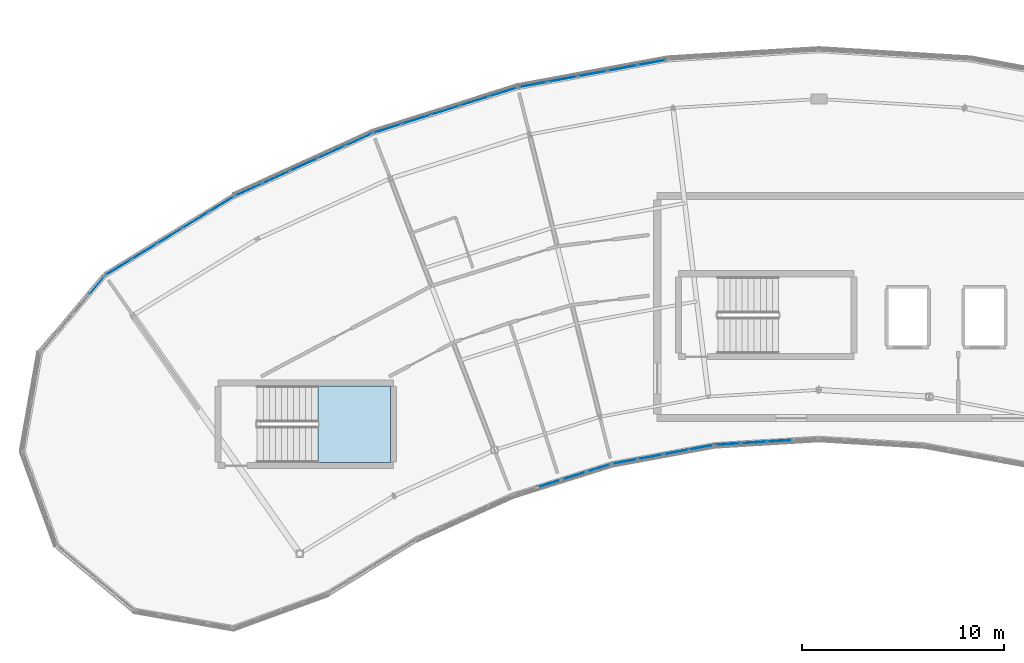
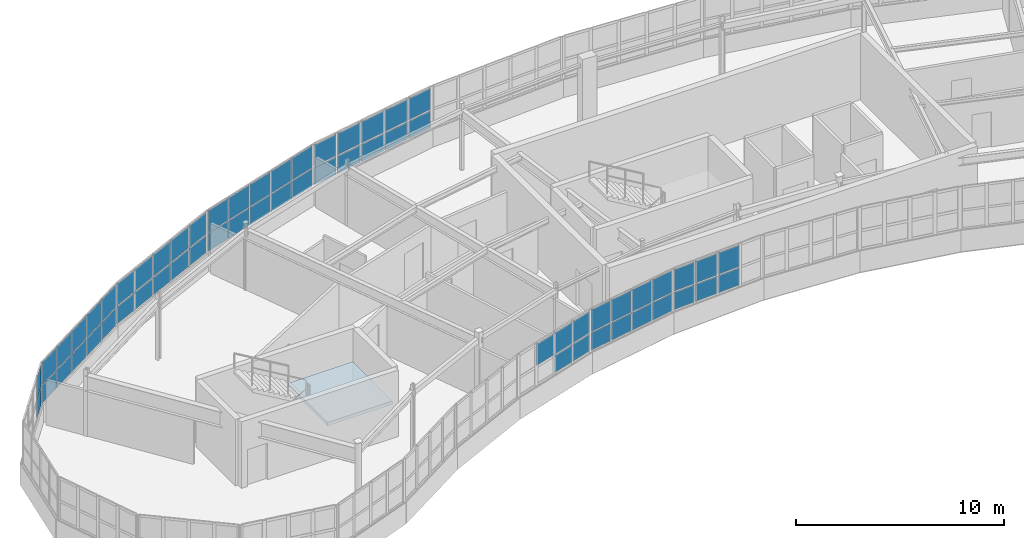
# One storey, part 52 of 79: 61 plates, 1 slab, 9 elements without a shape of their own.
"""IFC4 building model written with IfcOpenShell, lengths in metres."""

from ifc_helpers import new_model, si_unit, direction, frame, origin, origin_2d, place, context, subcontext, project, spatial, polyline, rectangle, outline, extrude, material, layer, layer_set, type_object, element, aggregate, save


model = new_model("IFC4")

# Units and contexts
model_context = context("Model", 3, precision=1e-05, world=origin(), true_north=direction((0.0, 1.0)))
body_context = subcontext(model_context, "Body", "Model", "MODEL_VIEW")
ifc_project = project(units=[si_unit("LENGTHUNIT", "METRE"), si_unit("AREAUNIT", "SQUARE_METRE"), si_unit("VOLUMEUNIT", "CUBIC_METRE"), si_unit("PLANEANGLEUNIT", "RADIAN"), si_unit("MASSUNIT", "GRAM", prefix="KILO")], contexts=[model_context])

# Site, building, storey
site_placement = place(None, origin())
site = spatial("IfcSite", under=ifc_project, at=site_placement, CompositionType="ELEMENT")
building_placement = place(site_placement, origin())
building = spatial("IfcBuilding", under=site, at=building_placement, Name="Tarnwether General Hospital", CompositionType="ELEMENT")
storey_placement = place(building_placement, frame((0.0, 0.0, 18.300048828125)))
storey = spatial("IfcBuildingStorey", under=building, at=storey_placement, Name="L04", CompositionType="ELEMENT", Elevation=18.300048828125)

# Curtain wall, plates
ifc_material_1 = material(Name="Anodised aluminium", Category="aluminium")
ifc_layer_1 = layer(ifc_material_1, 0.159912109375)
ifc_layer_set_1 = layer_set([ifc_layer_1], Name="Anodised aluminium")
curtain_wall_type_1 = type_object("IfcCurtainWallType", Name="CW-04", PredefinedType="NOTDEFINED", material=ifc_layer_set_1)
curtain_wall_1_placement = place(storey_placement, origin())
curtain_wall_1 = element("IfcCurtainWall", 1, at=curtain_wall_1_placement, inside=storey, type_object=curtain_wall_type_1, Name="Curtain Wall CWG-L04-817_1041-0040", PredefinedType="NOTDEFINED")
ifc_material_2 = material(Name="Double glazed low-E glass", Category="glass")
ifc_layer_2 = layer(ifc_material_2, 0.028076171875)
ifc_layer_set_2 = layer_set([ifc_layer_2], Name="Double glazed low-E glass")
plate_type_1 = type_object("IfcPlateType", Name="PT-CWP1", PredefinedType="CURTAIN_PANEL", material=ifc_layer_set_2)
plate_1_placement = place(storey_placement, frame((81.106689453125, 103.9404296875, 1.1298828125), z_axis=(0.0, 0.0, 1.0), x_axis=(-0.953713927508, -0.30071538783, 0.0)))
plate_1 = element("IfcPlate", 2, at=plate_1_placement, type_object=plate_type_1, Name="CW-04 panel 1.1", PredefinedType="CURTAIN_PANEL", context=body_context, shape_type="SweptSolid", body=[
    extrude(rectangle(XDim=1.17431640625, YDim=0.028076171875, at=origin_2d()), origin(), (0.0, 0.0, 1.0), 1.00048828125),
])
plate_2_placement = place(storey_placement, frame((81.106689453125, 103.9404296875, 2.21044921875), z_axis=(0.0, 0.0, 1.0), x_axis=(-0.953713927508, -0.30071538783, 0.0)))
plate_2 = element("IfcPlate", 3, at=plate_2_placement, type_object=plate_type_1, Name="CW-04 panel 1.2", PredefinedType="CURTAIN_PANEL", context=body_context, shape_type="SweptSolid", body=[
    extrude(rectangle(XDim=1.17431640625, YDim=0.028076171875, at=origin_2d()), origin(), (0.0, 0.0, 1.0), 1.24951171875),
])
plate_3_placement = place(storey_placement, frame((79.891357421875, 103.55712890625, 1.1298828125), z_axis=(0.0, 0.0, 1.0), x_axis=(-0.953713927508, -0.30071538783, 0.0)))
plate_3 = element("IfcPlate", 4, at=plate_3_placement, type_object=plate_type_1, Name="CW-04 panel 2.1", PredefinedType="CURTAIN_PANEL", context=body_context, shape_type="SweptSolid", body=[
    extrude(rectangle(XDim=1.21435546875, YDim=0.028076171875, at=origin_2d()), origin(), (0.0, 0.0, 1.0), 1.00048828125),
])
plate_4_placement = place(storey_placement, frame((79.891357421875, 103.55712890625, 2.21044921875), z_axis=(0.0, 0.0, 1.0), x_axis=(-0.953713927508, -0.30071538783, 0.0)))
plate_4 = element("IfcPlate", 5, at=plate_4_placement, type_object=plate_type_1, Name="CW-04 panel 2.2", PredefinedType="CURTAIN_PANEL", context=body_context, shape_type="SweptSolid", body=[
    extrude(rectangle(XDim=1.21435546875, YDim=0.028076171875, at=origin_2d()), origin(), (0.0, 0.0, 1.0), 1.24951171875),
])
plate_5_placement = place(storey_placement, frame((78.65673828125, 103.16796875, 2.21044921875), z_axis=(0.0, 0.0, 1.0), x_axis=(-0.953713927508, -0.30071538783, 0.0)))
plate_5 = element("IfcPlate", 6, at=plate_5_placement, type_object=plate_type_1, Name="CW-04 panel 3.2", PredefinedType="CURTAIN_PANEL", context=body_context, shape_type="SweptSolid", body=[
    extrude(rectangle(XDim=1.21435546875, YDim=0.028076171875, at=origin_2d()), origin(), (0.0, 0.0, 1.0), 1.24951171875),
])
aggregate(curtain_wall_1, [plate_1, plate_2, plate_3, plate_4, plate_5])

curtain_wall_2_placement = place(storey_placement, origin())
curtain_wall_2 = element("IfcCurtainWall", 7, at=curtain_wall_2_placement, inside=storey, type_object=curtain_wall_type_1, Name="Curtain Wall CWG-L04-868_1051-0041", PredefinedType="NOTDEFINED")
plate_6_placement = place(storey_placement, frame((86.181884765625, 104.96337890625, 1.10986328125), z_axis=(0.0, 0.0, 1.0), x_axis=(-0.983267910924, -0.182165351666, 0.0)))
plate_6 = element("IfcPlate", 8, at=plate_6_placement, type_object=plate_type_1, Name="CW-04 panel 1.1", PredefinedType="CURTAIN_PANEL", context=body_context, shape_type="SweptSolid", body=[
    extrude(rectangle(XDim=1.2041015625, YDim=0.028076171875, at=origin_2d()), origin(), (0.0, 0.0, 1.0), 1.030517578125),
])
plate_7_placement = place(storey_placement, frame((86.181884765625, 104.96337890625, 2.2001953125), z_axis=(0.0, 0.0, 1.0), x_axis=(-0.983267910924, -0.182165351666, 0.0)))
plate_7 = element("IfcPlate", 9, at=plate_7_placement, type_object=plate_type_1, Name="CW-04 panel 1.2", PredefinedType="CURTAIN_PANEL", context=body_context, shape_type="SweptSolid", body=[
    extrude(rectangle(XDim=1.2041015625, YDim=0.028076171875, at=origin_2d()), origin(), (0.0, 0.0, 1.0), 1.279541015625),
])
plate_8_placement = place(storey_placement, frame((84.92431640625, 104.73046875, 1.10986328125), z_axis=(0.0, 0.0, 1.0), x_axis=(-0.983267910924, -0.182165351666, 0.0)))
plate_8 = element("IfcPlate", 10, at=plate_8_placement, type_object=plate_type_1, Name="CW-04 panel 2.1", PredefinedType="CURTAIN_PANEL", context=body_context, shape_type="SweptSolid", body=[
    extrude(rectangle(XDim=1.234130859375, YDim=0.028076171875, at=origin_2d()), origin(), (0.0, 0.0, 1.0), 1.030517578125),
])
plate_9_placement = place(storey_placement, frame((84.92431640625, 104.73046875, 2.2001953125), z_axis=(0.0, 0.0, 1.0), x_axis=(-0.983267910924, -0.182165351666, 0.0)))
plate_9 = element("IfcPlate", 11, at=plate_9_placement, type_object=plate_type_1, Name="CW-04 panel 2.2", PredefinedType="CURTAIN_PANEL", context=body_context, shape_type="SweptSolid", body=[
    extrude(rectangle(XDim=1.234130859375, YDim=0.028076171875, at=origin_2d()), origin(), (0.0, 0.0, 1.0), 1.279541015625),
])
plate_10_placement = place(storey_placement, frame((83.65185546875, 104.49462890625, 1.10986328125), z_axis=(0.0, 0.0, 1.0), x_axis=(-0.983267910924, -0.182165351666, 0.0)))
plate_10 = element("IfcPlate", 12, at=plate_10_placement, type_object=plate_type_1, Name="CW-04 panel 3.1", PredefinedType="CURTAIN_PANEL", context=body_context, shape_type="SweptSolid", body=[
    extrude(rectangle(XDim=1.234130859375, YDim=0.028076171875, at=origin_2d()), origin(), (0.0, 0.0, 1.0), 1.030517578125),
])
plate_11_placement = place(storey_placement, frame((83.65185546875, 104.49462890625, 2.2001953125), z_axis=(0.0, 0.0, 1.0), x_axis=(-0.983267910924, -0.182165351666, 0.0)))
plate_11 = element("IfcPlate", 13, at=plate_11_placement, type_object=plate_type_1, Name="CW-04 panel 3.2", PredefinedType="CURTAIN_PANEL", context=body_context, shape_type="SweptSolid", body=[
    extrude(rectangle(XDim=1.234130859375, YDim=0.028076171875, at=origin_2d()), origin(), (0.0, 0.0, 1.0), 1.279541015625),
])
plate_12_placement = place(storey_placement, frame((82.39404296875, 104.26171875, 1.10986328125), z_axis=(0.0, 0.0, 1.0), x_axis=(-0.983267910924, -0.182165351666, 0.0)))
plate_12 = element("IfcPlate", 14, at=plate_12_placement, type_object=plate_type_1, Name="CW-04 panel 4.1", PredefinedType="CURTAIN_PANEL", context=body_context, shape_type="SweptSolid", body=[
    extrude(rectangle(XDim=1.2041015625, YDim=0.028076171875, at=origin_2d()), origin(), (0.0, 0.0, 1.0), 1.030517578125),
])
plate_13_placement = place(storey_placement, frame((82.39404296875, 104.26171875, 2.2001953125), z_axis=(0.0, 0.0, 1.0), x_axis=(-0.983267910924, -0.182165351666, 0.0)))
plate_13 = element("IfcPlate", 15, at=plate_13_placement, type_object=plate_type_1, Name="CW-04 panel 4.2", PredefinedType="CURTAIN_PANEL", context=body_context, shape_type="SweptSolid", body=[
    extrude(rectangle(XDim=1.2041015625, YDim=0.028076171875, at=origin_2d()), origin(), (0.0, 0.0, 1.0), 1.279541015625),
])
aggregate(curtain_wall_2, [plate_6, plate_7, plate_8, plate_9, plate_10, plate_11, plate_12, plate_13])

ifc_material_3 = material(Name="Anodised aluminium", Category="aluminium")
ifc_layer_3 = layer(ifc_material_3, 0.159912109375)
ifc_layer_set_3 = layer_set([ifc_layer_3], Name="Anodised aluminium")
curtain_wall_type_2 = type_object("IfcCurtainWallType", Name="CW-02", PredefinedType="NOTDEFINED", material=ifc_layer_set_3)
curtain_wall_3_placement = place(storey_placement, origin())
curtain_wall_3 = element("IfcCurtainWall", 16, at=curtain_wall_3_placement, inside=storey, type_object=curtain_wall_type_2, Name="Curtain Wall CWG-L04-699_1205-0061", PredefinedType="NOTDEFINED")
plate_14_placement = place(storey_placement, frame((70.656494140625, 120.739501953125, 1.10986328125), z_axis=(0.0, 0.0, 1.0), x_axis=(0.953741284032, 0.300628613299, 0.0)))
plate_14 = element("IfcPlate", 17, at=plate_14_placement, type_object=plate_type_1, Name="CW-02 panel 1.1", PredefinedType="CURTAIN_PANEL", context=body_context, shape_type="SweptSolid", body=[
    extrude(rectangle(XDim=1.4140625, YDim=0.028076171875, at=origin_2d()), origin(), (0.0, 0.0, 1.0), 1.030517578125),
])
plate_15_placement = place(storey_placement, frame((70.656494140625, 120.739501953125, 2.2001953125), z_axis=(0.0, 0.0, 1.0), x_axis=(0.953741284032, 0.300628613299, 0.0)))
plate_15 = element("IfcPlate", 18, at=plate_15_placement, type_object=plate_type_1, Name="CW-02 panel 1.2", PredefinedType="CURTAIN_PANEL", context=body_context, shape_type="SweptSolid", body=[
    extrude(rectangle(XDim=1.4140625, YDim=0.028076171875, at=origin_2d()), origin(), (0.0, 0.0, 1.0), 1.279541015625),
])
plate_16_placement = place(storey_placement, frame((72.076904296875, 121.187255859375, 1.10986328125), z_axis=(0.0, 0.0, 1.0), x_axis=(0.953741284032, 0.300628613299, 0.0)))
plate_16 = element("IfcPlate", 19, at=plate_16_placement, type_object=plate_type_1, Name="CW-02 panel 2.1", PredefinedType="CURTAIN_PANEL", context=body_context, shape_type="SweptSolid", body=[
    extrude(rectangle(XDim=1.444091796875, YDim=0.028076171875, at=origin_2d()), origin(), (0.0, 0.0, 1.0), 1.030517578125),
])
plate_17_placement = place(storey_placement, frame((72.076904296875, 121.187255859375, 2.2001953125), z_axis=(0.0, 0.0, 1.0), x_axis=(0.953741284032, 0.300628613299, 0.0)))
plate_17 = element("IfcPlate", 20, at=plate_17_placement, type_object=plate_type_1, Name="CW-02 panel 2.2", PredefinedType="CURTAIN_PANEL", context=body_context, shape_type="SweptSolid", body=[
    extrude(rectangle(XDim=1.444091796875, YDim=0.028076171875, at=origin_2d()), origin(), (0.0, 0.0, 1.0), 1.279541015625),
])
plate_18_placement = place(storey_placement, frame((73.511474609375, 121.639404296875, 1.10986328125), z_axis=(0.0, 0.0, 1.0), x_axis=(0.953741284032, 0.300628613299, 0.0)))
plate_18 = element("IfcPlate", 21, at=plate_18_placement, type_object=plate_type_1, Name="CW-02 panel 3.1", PredefinedType="CURTAIN_PANEL", context=body_context, shape_type="SweptSolid", body=[
    extrude(rectangle(XDim=1.444091796875, YDim=0.028076171875, at=origin_2d()), origin(), (0.0, 0.0, 1.0), 1.030517578125),
])
plate_19_placement = place(storey_placement, frame((73.511474609375, 121.639404296875, 2.2001953125), z_axis=(0.0, 0.0, 1.0), x_axis=(0.953741284032, 0.300628613299, 0.0)))
plate_19 = element("IfcPlate", 22, at=plate_19_placement, type_object=plate_type_1, Name="CW-02 panel 3.2", PredefinedType="CURTAIN_PANEL", context=body_context, shape_type="SweptSolid", body=[
    extrude(rectangle(XDim=1.444091796875, YDim=0.028076171875, at=origin_2d()), origin(), (0.0, 0.0, 1.0), 1.279541015625),
])
plate_20_placement = place(storey_placement, frame((74.946044921875, 122.091796875, 1.10986328125), z_axis=(0.0, 0.0, 1.0), x_axis=(0.953741284032, 0.300628613299, 0.0)))
plate_20 = element("IfcPlate", 23, at=plate_20_placement, type_object=plate_type_1, Name="CW-02 panel 4.1", PredefinedType="CURTAIN_PANEL", context=body_context, shape_type="SweptSolid", body=[
    extrude(rectangle(XDim=1.444091796875, YDim=0.028076171875, at=origin_2d()), origin(), (0.0, 0.0, 1.0), 1.030517578125),
])
plate_21_placement = place(storey_placement, frame((74.946044921875, 122.091796875, 2.2001953125), z_axis=(0.0, 0.0, 1.0), x_axis=(0.953741284032, 0.300628613299, 0.0)))
plate_21 = element("IfcPlate", 24, at=plate_21_placement, type_object=plate_type_1, Name="CW-02 panel 4.2", PredefinedType="CURTAIN_PANEL", context=body_context, shape_type="SweptSolid", body=[
    extrude(rectangle(XDim=1.444091796875, YDim=0.028076171875, at=origin_2d()), origin(), (0.0, 0.0, 1.0), 1.279541015625),
])
plate_22_placement = place(storey_placement, frame((76.366455078125, 122.539306640625, 1.10986328125), z_axis=(0.0, 0.0, 1.0), x_axis=(0.953741284032, 0.300628613299, 0.0)))
plate_22 = element("IfcPlate", 25, at=plate_22_placement, type_object=plate_type_1, Name="CW-02 panel 5.1", PredefinedType="CURTAIN_PANEL", context=body_context, shape_type="SweptSolid", body=[
    extrude(rectangle(XDim=1.4140625, YDim=0.028076171875, at=origin_2d()), origin(), (0.0, 0.0, 1.0), 1.030517578125),
])
plate_23_placement = place(storey_placement, frame((76.366455078125, 122.539306640625, 2.2001953125), z_axis=(0.0, 0.0, 1.0), x_axis=(0.953741284032, 0.300628613299, 0.0)))
plate_23 = element("IfcPlate", 26, at=plate_23_placement, type_object=plate_type_1, Name="CW-02 panel 5.2", PredefinedType="CURTAIN_PANEL", context=body_context, shape_type="SweptSolid", body=[
    extrude(rectangle(XDim=1.4140625, YDim=0.028076171875, at=origin_2d()), origin(), (0.0, 0.0, 1.0), 1.279541015625),
])
aggregate(curtain_wall_3, [plate_14, plate_15, plate_16, plate_17, plate_18, plate_19, plate_20, plate_21, plate_22, plate_23])

curtain_wall_4_placement = place(storey_placement, origin())
curtain_wall_4 = element("IfcCurtainWall", 27, at=curtain_wall_4_placement, inside=storey, type_object=curtain_wall_type_2, Name="Curtain Wall CWG-L04-631_1174-0062", PredefinedType="NOTDEFINED")
plate_24_placement = place(storey_placement, frame((63.78125, 117.709228515625, 1.1201171875), z_axis=(0.0, 0.0, 1.0), x_axis=(0.909960793886, 0.414694289316, 0.0)))
plate_24 = element("IfcPlate", 28, at=plate_24_placement, type_object=plate_type_1, Name="CW-02 panel 1.1", PredefinedType="CURTAIN_PANEL", context=body_context, shape_type="SweptSolid", body=[
    extrude(rectangle(XDim=1.399169921875, YDim=0.028076171875, at=origin_2d()), origin(), (0.0, 0.0, 1.0), 1.015380859375),
])
plate_25_placement = place(storey_placement, frame((63.78125, 117.709228515625, 2.20556640625), z_axis=(0.0, 0.0, 1.0), x_axis=(0.909960793886, 0.414694289316, 0.0)))
plate_25 = element("IfcPlate", 29, at=plate_25_placement, type_object=plate_type_1, Name="CW-02 panel 1.2", PredefinedType="CURTAIN_PANEL", context=body_context, shape_type="SweptSolid", body=[
    extrude(rectangle(XDim=1.399169921875, YDim=0.028076171875, at=origin_2d()), origin(), (0.0, 0.0, 1.0), 1.264404296875),
])
plate_26_placement = place(storey_placement, frame((65.13427734375, 118.32568359375, 1.1201171875), z_axis=(0.0, 0.0, 1.0), x_axis=(0.909960793886, 0.414694289316, 0.0)))
plate_26 = element("IfcPlate", 30, at=plate_26_placement, type_object=plate_type_1, Name="CW-02 panel 2.1", PredefinedType="CURTAIN_PANEL", context=body_context, shape_type="SweptSolid", body=[
    extrude(rectangle(XDim=1.434326171875, YDim=0.028076171875, at=origin_2d()), origin(), (0.0, 0.0, 1.0), 1.015380859375),
])
plate_27_placement = place(storey_placement, frame((65.13427734375, 118.32568359375, 2.20556640625), z_axis=(0.0, 0.0, 1.0), x_axis=(0.909960793886, 0.414694289316, 0.0)))
plate_27 = element("IfcPlate", 31, at=plate_27_placement, type_object=plate_type_1, Name="CW-02 panel 2.2", PredefinedType="CURTAIN_PANEL", context=body_context, shape_type="SweptSolid", body=[
    extrude(rectangle(XDim=1.434326171875, YDim=0.028076171875, at=origin_2d()), origin(), (0.0, 0.0, 1.0), 1.264404296875),
])
plate_28_placement = place(storey_placement, frame((66.5029296875, 118.949462890625, 1.1201171875), z_axis=(0.0, 0.0, 1.0), x_axis=(0.909960793886, 0.414694289316, 0.0)))
plate_28 = element("IfcPlate", 32, at=plate_28_placement, type_object=plate_type_1, Name="CW-02 panel 3.1", PredefinedType="CURTAIN_PANEL", context=body_context, shape_type="SweptSolid", body=[
    extrude(rectangle(XDim=1.434326171875, YDim=0.028076171875, at=origin_2d()), origin(), (0.0, 0.0, 1.0), 1.015380859375),
])
plate_29_placement = place(storey_placement, frame((66.5029296875, 118.949462890625, 2.20556640625), z_axis=(0.0, 0.0, 1.0), x_axis=(0.909960793886, 0.414694289316, 0.0)))
plate_29 = element("IfcPlate", 33, at=plate_29_placement, type_object=plate_type_1, Name="CW-02 panel 3.2", PredefinedType="CURTAIN_PANEL", context=body_context, shape_type="SweptSolid", body=[
    extrude(rectangle(XDim=1.434326171875, YDim=0.028076171875, at=origin_2d()), origin(), (0.0, 0.0, 1.0), 1.264404296875),
])
plate_30_placement = place(storey_placement, frame((67.871826171875, 119.5732421875, 1.1201171875), z_axis=(0.0, 0.0, 1.0), x_axis=(0.909960793886, 0.414694289316, 0.0)))
plate_30 = element("IfcPlate", 34, at=plate_30_placement, type_object=plate_type_1, Name="CW-02 panel 4.1", PredefinedType="CURTAIN_PANEL", context=body_context, shape_type="SweptSolid", body=[
    extrude(rectangle(XDim=1.434326171875, YDim=0.028076171875, at=origin_2d()), origin(), (0.0, 0.0, 1.0), 1.015380859375),
])
plate_31_placement = place(storey_placement, frame((67.871826171875, 119.5732421875, 2.20556640625), z_axis=(0.0, 0.0, 1.0), x_axis=(0.909960793886, 0.414694289316, 0.0)))
plate_31 = element("IfcPlate", 35, at=plate_31_placement, type_object=plate_type_1, Name="CW-02 panel 4.2", PredefinedType="CURTAIN_PANEL", context=body_context, shape_type="SweptSolid", body=[
    extrude(rectangle(XDim=1.434326171875, YDim=0.028076171875, at=origin_2d()), origin(), (0.0, 0.0, 1.0), 1.264404296875),
])
plate_32_placement = place(storey_placement, frame((69.224609375, 120.18994140625, 1.1201171875), z_axis=(0.0, 0.0, 1.0), x_axis=(0.909960793886, 0.414694289316, 0.0)))
plate_32 = element("IfcPlate", 36, at=plate_32_placement, type_object=plate_type_1, Name="CW-02 panel 5.1", PredefinedType="CURTAIN_PANEL", context=body_context, shape_type="SweptSolid", body=[
    extrude(rectangle(XDim=1.399169921875, YDim=0.028076171875, at=origin_2d()), origin(), (0.0, 0.0, 1.0), 1.015380859375),
])
plate_33_placement = place(storey_placement, frame((69.224609375, 120.18994140625, 2.20556640625), z_axis=(0.0, 0.0, 1.0), x_axis=(0.909960793886, 0.414694289316, 0.0)))
plate_33 = element("IfcPlate", 37, at=plate_33_placement, type_object=plate_type_1, Name="CW-02 panel 5.2", PredefinedType="CURTAIN_PANEL", context=body_context, shape_type="SweptSolid", body=[
    extrude(rectangle(XDim=1.399169921875, YDim=0.028076171875, at=origin_2d()), origin(), (0.0, 0.0, 1.0), 1.264404296875),
])
aggregate(curtain_wall_4, [plate_24, plate_25, plate_26, plate_27, plate_28, plate_29, plate_30, plate_31, plate_32, plate_33])

curtain_wall_5_placement = place(storey_placement, origin())
curtain_wall_5 = element("IfcCurtainWall", 38, at=curtain_wall_5_placement, inside=storey, type_object=curtain_wall_type_1, Name="Curtain Wall CWG-L04-535_1097-0064", PredefinedType="NOTDEFINED")
plate_34_placement = place(storey_placement, frame((56.255859375, 112.96875, 1.1298828125), z_axis=(0.0, 0.0, 1.0), x_axis=(0.64285227611, 0.765990176896, 0.0)))
plate_34 = element("IfcPlate", 39, at=plate_34_placement, type_object=plate_type_1, Name="CW-04 panel 4.1", PredefinedType="CURTAIN_PANEL", context=body_context, shape_type="SweptSolid", body=[
    extrude(rectangle(XDim=1.12255859375, YDim=0.028076171875, at=origin_2d()), origin(), (0.0, 0.0, 1.0), 1.00048828125),
])
plate_35_placement = place(storey_placement, frame((56.255859375, 112.96875, 2.21044921875), z_axis=(0.0, 0.0, 1.0), x_axis=(0.64285227611, 0.765990176896, 0.0)))
plate_35 = element("IfcPlate", 40, at=plate_35_placement, type_object=plate_type_1, Name="CW-04 panel 4.2", PredefinedType="CURTAIN_PANEL", context=body_context, shape_type="SweptSolid", body=[
    extrude(rectangle(XDim=1.12255859375, YDim=0.028076171875, at=origin_2d()), origin(), (0.0, 0.0, 1.0), 1.24951171875),
])
aggregate(curtain_wall_5, [plate_34, plate_35])

curtain_wall_6_placement = place(storey_placement, origin())
curtain_wall_6 = element("IfcCurtainWall", 41, at=curtain_wall_6_placement, inside=storey, type_object=curtain_wall_type_1, Name="Curtain Wall CWG-L04-920_1054-0042", PredefinedType="NOTDEFINED")
ifc_material_4 = material(Name="Double glazed low-E glass", Category="glass")
ifc_layer_4 = layer(ifc_material_4, 0.035888671875)
ifc_layer_set_4 = layer_set([ifc_layer_4], Name="Double glazed low-E glass")
plate_type_2 = type_object("IfcPlateType", Name="PT-CWP2", PredefinedType="CURTAIN_PANEL", material=ifc_layer_set_4)
plate_36_placement = place(storey_placement, frame((90.062255859375, 105.281494140625, 1.1201171875), z_axis=(0.0, 0.0, 1.0), x_axis=(-0.998135119267, -0.06104329354, 0.0)))
plate_36 = element("IfcPlate", 42, at=plate_36_placement, type_object=plate_type_2, Name="CW-04 panel 2.1", PredefinedType="CURTAIN_PANEL", context=body_context, shape_type="SweptSolid", body=[
    extrude(rectangle(XDim=1.22412109375, YDim=0.035888671875, at=origin_2d()), origin(), (0.0, 0.0, 1.0), 1.015380859375),
])
plate_37_placement = place(storey_placement, frame((90.062255859375, 105.281494140625, 2.20556640625), z_axis=(0.0, 0.0, 1.0), x_axis=(-0.998135119267, -0.06104329354, 0.0)))
plate_37 = element("IfcPlate", 43, at=plate_37_placement, type_object=plate_type_2, Name="CW-04 panel 2.2", PredefinedType="CURTAIN_PANEL", context=body_context, shape_type="SweptSolid", body=[
    extrude(rectangle(XDim=1.22412109375, YDim=0.035888671875, at=origin_2d()), origin(), (0.0, 0.0, 1.0), 1.264404296875),
])
plate_38_placement = place(storey_placement, frame((88.7705078125, 105.202392578125, 1.1201171875), z_axis=(0.0, 0.0, 1.0), x_axis=(-0.998135119267, -0.06104329354, 0.0)))
plate_38 = element("IfcPlate", 44, at=plate_38_placement, type_object=plate_type_2, Name="CW-04 panel 3.1", PredefinedType="CURTAIN_PANEL", context=body_context, shape_type="SweptSolid", body=[
    extrude(rectangle(XDim=1.22412109375, YDim=0.035888671875, at=origin_2d()), origin(), (0.0, 0.0, 1.0), 1.015380859375),
])
plate_39_placement = place(storey_placement, frame((88.7705078125, 105.202392578125, 2.20556640625), z_axis=(0.0, 0.0, 1.0), x_axis=(-0.998135119267, -0.06104329354, 0.0)))
plate_39 = element("IfcPlate", 45, at=plate_39_placement, type_object=plate_type_2, Name="CW-04 panel 3.2", PredefinedType="CURTAIN_PANEL", context=body_context, shape_type="SweptSolid", body=[
    extrude(rectangle(XDim=1.22412109375, YDim=0.035888671875, at=origin_2d()), origin(), (0.0, 0.0, 1.0), 1.264404296875),
])
plate_40_placement = place(storey_placement, frame((87.496337890625, 105.12451171875, 1.1201171875), z_axis=(0.0, 0.0, 1.0), x_axis=(-0.998135119267, -0.06104329354, 0.0)))
plate_40 = element("IfcPlate", 46, at=plate_40_placement, type_object=plate_type_2, Name="CW-04 panel 4.1", PredefinedType="CURTAIN_PANEL", context=body_context, shape_type="SweptSolid", body=[
    extrude(rectangle(XDim=1.189208984375, YDim=0.035888671875, at=origin_2d()), origin(), (0.0, 0.0, 1.0), 1.015380859375),
])
plate_41_placement = place(storey_placement, frame((87.496337890625, 105.12451171875, 2.20556640625), z_axis=(0.0, 0.0, 1.0), x_axis=(-0.998135119267, -0.06104329354, 0.0)))
plate_41 = element("IfcPlate", 47, at=plate_41_placement, type_object=plate_type_2, Name="CW-04 panel 4.2", PredefinedType="CURTAIN_PANEL", context=body_context, shape_type="SweptSolid", body=[
    extrude(rectangle(XDim=1.189208984375, YDim=0.035888671875, at=origin_2d()), origin(), (0.0, 0.0, 1.0), 1.264404296875),
])
aggregate(curtain_wall_6, [plate_36, plate_37, plate_38, plate_39, plate_40, plate_41])

curtain_wall_7_placement = place(storey_placement, origin())
curtain_wall_7 = element("IfcCurtainWall", 48, at=curtain_wall_7_placement, inside=storey, type_object=curtain_wall_type_2, Name="Curtain Wall CWG-L04-771_1228-0060", PredefinedType="NOTDEFINED")
plate_42_placement = place(storey_placement, frame((77.857177734375, 122.91064453125, 1.1298828125), z_axis=(0.0, 0.0, 1.0), x_axis=(0.983244953132, 0.182289226614, 0.0)))
plate_42 = element("IfcPlate", 49, at=plate_42_placement, type_object=plate_type_2, Name="CW-02 panel 1.1", PredefinedType="CURTAIN_PANEL", context=body_context, shape_type="SweptSolid", body=[
    extrude(rectangle(XDim=1.38427734375, YDim=0.035888671875, at=origin_2d()), origin(), (0.0, 0.0, 1.0), 1.00048828125),
])
plate_43_placement = place(storey_placement, frame((77.857177734375, 122.91064453125, 2.21044921875), z_axis=(0.0, 0.0, 1.0), x_axis=(0.983244953132, 0.182289226614, 0.0)))
plate_43 = element("IfcPlate", 50, at=plate_43_placement, type_object=plate_type_2, Name="CW-02 panel 1.2", PredefinedType="CURTAIN_PANEL", context=body_context, shape_type="SweptSolid", body=[
    extrude(rectangle(XDim=1.38427734375, YDim=0.035888671875, at=origin_2d()), origin(), (0.0, 0.0, 1.0), 1.24951171875),
])
plate_44_placement = place(storey_placement, frame((79.31640625, 123.181396484375, 1.1298828125), z_axis=(0.0, 0.0, 1.0), x_axis=(0.983244953132, 0.182289226614, 0.0)))
plate_44 = element("IfcPlate", 51, at=plate_44_placement, type_object=plate_type_2, Name="CW-02 panel 2.1", PredefinedType="CURTAIN_PANEL", context=body_context, shape_type="SweptSolid", body=[
    extrude(rectangle(XDim=1.42431640625, YDim=0.035888671875, at=origin_2d()), origin(), (0.0, 0.0, 1.0), 1.00048828125),
])
plate_45_placement = place(storey_placement, frame((79.31640625, 123.181396484375, 2.21044921875), z_axis=(0.0, 0.0, 1.0), x_axis=(0.983244953132, 0.182289226614, 0.0)))
plate_45 = element("IfcPlate", 52, at=plate_45_placement, type_object=plate_type_2, Name="CW-02 panel 2.2", PredefinedType="CURTAIN_PANEL", context=body_context, shape_type="SweptSolid", body=[
    extrude(rectangle(XDim=1.42431640625, YDim=0.035888671875, at=origin_2d()), origin(), (0.0, 0.0, 1.0), 1.24951171875),
])
plate_46_placement = place(storey_placement, frame((80.79541015625, 123.45556640625, 1.1298828125), z_axis=(0.0, 0.0, 1.0), x_axis=(0.983244953132, 0.182289226614, 0.0)))
plate_46 = element("IfcPlate", 53, at=plate_46_placement, type_object=plate_type_2, Name="CW-02 panel 3.1", PredefinedType="CURTAIN_PANEL", context=body_context, shape_type="SweptSolid", body=[
    extrude(rectangle(XDim=1.42431640625, YDim=0.035888671875, at=origin_2d()), origin(), (0.0, 0.0, 1.0), 1.00048828125),
])
plate_47_placement = place(storey_placement, frame((80.79541015625, 123.45556640625, 2.21044921875), z_axis=(0.0, 0.0, 1.0), x_axis=(0.983244953132, 0.182289226614, 0.0)))
plate_47 = element("IfcPlate", 54, at=plate_47_placement, type_object=plate_type_2, Name="CW-02 panel 3.2", PredefinedType="CURTAIN_PANEL", context=body_context, shape_type="SweptSolid", body=[
    extrude(rectangle(XDim=1.42431640625, YDim=0.035888671875, at=origin_2d()), origin(), (0.0, 0.0, 1.0), 1.24951171875),
])
plate_48_placement = place(storey_placement, frame((82.2744140625, 123.729736328125, 1.1298828125), z_axis=(0.0, 0.0, 1.0), x_axis=(0.983244953132, 0.182289226614, 0.0)))
plate_48 = element("IfcPlate", 55, at=plate_48_placement, type_object=plate_type_2, Name="CW-02 panel 4.1", PredefinedType="CURTAIN_PANEL", context=body_context, shape_type="SweptSolid", body=[
    extrude(rectangle(XDim=1.42431640625, YDim=0.035888671875, at=origin_2d()), origin(), (0.0, 0.0, 1.0), 1.00048828125),
])
plate_49_placement = place(storey_placement, frame((82.2744140625, 123.729736328125, 2.21044921875), z_axis=(0.0, 0.0, 1.0), x_axis=(0.983244953132, 0.182289226614, 0.0)))
plate_49 = element("IfcPlate", 56, at=plate_49_placement, type_object=plate_type_2, Name="CW-02 panel 4.2", PredefinedType="CURTAIN_PANEL", context=body_context, shape_type="SweptSolid", body=[
    extrude(rectangle(XDim=1.42431640625, YDim=0.035888671875, at=origin_2d()), origin(), (0.0, 0.0, 1.0), 1.24951171875),
])
plate_50_placement = place(storey_placement, frame((83.73388671875, 124.000244140625, 1.1298828125), z_axis=(0.0, 0.0, 1.0), x_axis=(0.983244953132, 0.182289226614, 0.0)))
plate_50 = element("IfcPlate", 57, at=plate_50_placement, type_object=plate_type_2, Name="CW-02 panel 5.1", PredefinedType="CURTAIN_PANEL", context=body_context, shape_type="SweptSolid", body=[
    extrude(rectangle(XDim=1.38427734375, YDim=0.035888671875, at=origin_2d()), origin(), (0.0, 0.0, 1.0), 1.00048828125),
])
plate_51_placement = place(storey_placement, frame((83.73388671875, 124.000244140625, 2.21044921875), z_axis=(0.0, 0.0, 1.0), x_axis=(0.983244953132, 0.182289226614, 0.0)))
plate_51 = element("IfcPlate", 58, at=plate_51_placement, type_object=plate_type_2, Name="CW-02 panel 5.2", PredefinedType="CURTAIN_PANEL", context=body_context, shape_type="SweptSolid", body=[
    extrude(rectangle(XDim=1.38427734375, YDim=0.035888671875, at=origin_2d()), origin(), (0.0, 0.0, 1.0), 1.24951171875),
])
aggregate(curtain_wall_7, [plate_42, plate_43, plate_44, plate_45, plate_46, plate_47, plate_48, plate_49, plate_50, plate_51])

curtain_wall_8_placement = place(storey_placement, origin())
curtain_wall_8 = element("IfcCurtainWall", 59, at=curtain_wall_8_placement, inside=storey, type_object=curtain_wall_type_2, Name="Curtain Wall CWG-L04-567_1135-0063", PredefinedType="NOTDEFINED")
plate_52_placement = place(storey_placement, frame((57.3232421875, 113.861572265625, 1.114990234375), z_axis=(0.0, 0.0, 1.0), x_axis=(0.852633734977, 0.522509056361, 0.0)))
plate_52 = element("IfcPlate", 60, at=plate_52_placement, type_object=plate_type_2, Name="CW-02 panel 1.1", PredefinedType="CURTAIN_PANEL", context=body_context, shape_type="SweptSolid", body=[
    extrude(rectangle(XDim=1.40673828125, YDim=0.035888671875, at=origin_2d()), origin(), (0.0, 0.0, 1.0), 1.02294921875),
])
plate_53_placement = place(storey_placement, frame((57.3232421875, 113.861572265625, 2.202880859375), z_axis=(0.0, 0.0, 1.0), x_axis=(0.852633734977, 0.522509056361, 0.0)))
plate_53 = element("IfcPlate", 61, at=plate_53_placement, type_object=plate_type_2, Name="CW-02 panel 1.2", PredefinedType="CURTAIN_PANEL", context=body_context, shape_type="SweptSolid", body=[
    extrude(rectangle(XDim=1.40673828125, YDim=0.035888671875, at=origin_2d()), origin(), (0.0, 0.0, 1.0), 1.27197265625),
])
plate_54_placement = place(storey_placement, frame((58.591796875, 114.638916015625, 1.114990234375), z_axis=(0.0, 0.0, 1.0), x_axis=(0.852633734977, 0.522509056361, 0.0)))
plate_54 = element("IfcPlate", 62, at=plate_54_placement, type_object=plate_type_2, Name="CW-02 panel 2.1", PredefinedType="CURTAIN_PANEL", context=body_context, shape_type="SweptSolid", body=[
    extrude(rectangle(XDim=1.439208984375, YDim=0.035888671875, at=origin_2d()), origin(), (0.0, 0.0, 1.0), 1.02294921875),
])
plate_55_placement = place(storey_placement, frame((58.591796875, 114.638916015625, 2.202880859375), z_axis=(0.0, 0.0, 1.0), x_axis=(0.852633734977, 0.522509056361, 0.0)))
plate_55 = element("IfcPlate", 63, at=plate_55_placement, type_object=plate_type_2, Name="CW-02 panel 2.2", PredefinedType="CURTAIN_PANEL", context=body_context, shape_type="SweptSolid", body=[
    extrude(rectangle(XDim=1.439208984375, YDim=0.035888671875, at=origin_2d()), origin(), (0.0, 0.0, 1.0), 1.27197265625),
])
plate_56_placement = place(storey_placement, frame((59.87451171875, 115.425048828125, 1.114990234375), z_axis=(0.0, 0.0, 1.0), x_axis=(0.852633734977, 0.522509056361, 0.0)))
plate_56 = element("IfcPlate", 64, at=plate_56_placement, type_object=plate_type_2, Name="CW-02 panel 3.1", PredefinedType="CURTAIN_PANEL", context=body_context, shape_type="SweptSolid", body=[
    extrude(rectangle(XDim=1.439208984375, YDim=0.035888671875, at=origin_2d()), origin(), (0.0, 0.0, 1.0), 1.02294921875),
])
plate_57_placement = place(storey_placement, frame((59.87451171875, 115.425048828125, 2.202880859375), z_axis=(0.0, 0.0, 1.0), x_axis=(0.852633734977, 0.522509056361, 0.0)))
plate_57 = element("IfcPlate", 65, at=plate_57_placement, type_object=plate_type_2, Name="CW-02 panel 3.2", PredefinedType="CURTAIN_PANEL", context=body_context, shape_type="SweptSolid", body=[
    extrude(rectangle(XDim=1.439208984375, YDim=0.035888671875, at=origin_2d()), origin(), (0.0, 0.0, 1.0), 1.27197265625),
])
plate_58_placement = place(storey_placement, frame((61.156982421875, 116.2109375, 1.114990234375), z_axis=(0.0, 0.0, 1.0), x_axis=(0.852633734977, 0.522509056361, 0.0)))
plate_58 = element("IfcPlate", 66, at=plate_58_placement, type_object=plate_type_2, Name="CW-02 panel 4.1", PredefinedType="CURTAIN_PANEL", context=body_context, shape_type="SweptSolid", body=[
    extrude(rectangle(XDim=1.439208984375, YDim=0.035888671875, at=origin_2d()), origin(), (0.0, 0.0, 1.0), 1.02294921875),
])
plate_59_placement = place(storey_placement, frame((61.156982421875, 116.2109375, 2.202880859375), z_axis=(0.0, 0.0, 1.0), x_axis=(0.852633734977, 0.522509056361, 0.0)))
plate_59 = element("IfcPlate", 67, at=plate_59_placement, type_object=plate_type_2, Name="CW-02 panel 4.2", PredefinedType="CURTAIN_PANEL", context=body_context, shape_type="SweptSolid", body=[
    extrude(rectangle(XDim=1.439208984375, YDim=0.035888671875, at=origin_2d()), origin(), (0.0, 0.0, 1.0), 1.27197265625),
])
plate_60_placement = place(storey_placement, frame((62.42578125, 116.988525390625, 1.114990234375), z_axis=(0.0, 0.0, 1.0), x_axis=(0.852633734977, 0.522509056361, 0.0)))
plate_60 = element("IfcPlate", 68, at=plate_60_placement, type_object=plate_type_2, Name="CW-02 panel 5.1", PredefinedType="CURTAIN_PANEL", context=body_context, shape_type="SweptSolid", body=[
    extrude(rectangle(XDim=1.40673828125, YDim=0.035888671875, at=origin_2d()), origin(), (0.0, 0.0, 1.0), 1.02294921875),
])
plate_61_placement = place(storey_placement, frame((62.42578125, 116.988525390625, 2.202880859375), z_axis=(0.0, 0.0, 1.0), x_axis=(0.852633734977, 0.522509056361, 0.0)))
plate_61 = element("IfcPlate", 69, at=plate_61_placement, type_object=plate_type_2, Name="CW-02 panel 5.2", PredefinedType="CURTAIN_PANEL", context=body_context, shape_type="SweptSolid", body=[
    extrude(rectangle(XDim=1.40673828125, YDim=0.035888671875, at=origin_2d()), origin(), (0.0, 0.0, 1.0), 1.27197265625),
])
aggregate(curtain_wall_8, [plate_52, plate_53, plate_54, plate_55, plate_56, plate_57, plate_58, plate_59, plate_60, plate_61])

# Stair, slab
ifc_material_5 = material(Name="Concrete 40 MPa", Category="concrete")
stair_type = type_object("IfcStairType", Name="ST-DL39A", PredefinedType="HALF_TURN_STAIR", material=ifc_material_5)
stair_placement = place(storey_placement, origin())
stair = element("IfcStair", 70, at=stair_placement, inside=storey, type_object=stair_type, Name="L04 Exit Stair ST-07", PredefinedType="HALF_TURN_STAIR")
ifc_material_6 = material(Name="Concrete 40 MPa", Category="concrete")
ifc_layer_5 = layer(ifc_material_6, 0.199951171875)
ifc_layer_set_5 = layer_set([ifc_layer_5], Name="Concrete 40 MPa")
slab_type = type_object("IfcSlabType", Name="SL-LD200", PredefinedType="LANDING", material=ifc_layer_set_5)
slab_placement = place(storey_placement, frame((0.0, 0.0, 1.75)))
slab = element("IfcSlab", 71, at=slab_placement, type_object=slab_type, Name="ST-07 landing 1", PredefinedType="LANDING", context=body_context, shape_type="SweptSolid", body=[
    extrude(outline(polyline([(67.199951171875, 104.199951171875), (70.800048828125, 104.199951171875), (70.800048828125, 108.0), (67.199951171875, 108.0), (67.199951171875, 104.199951171875)])), origin(), (0.0, 0.0, 1.0), 0.199951171875),
])
aggregate(stair, [slab])

save(model, "model.ifc")
